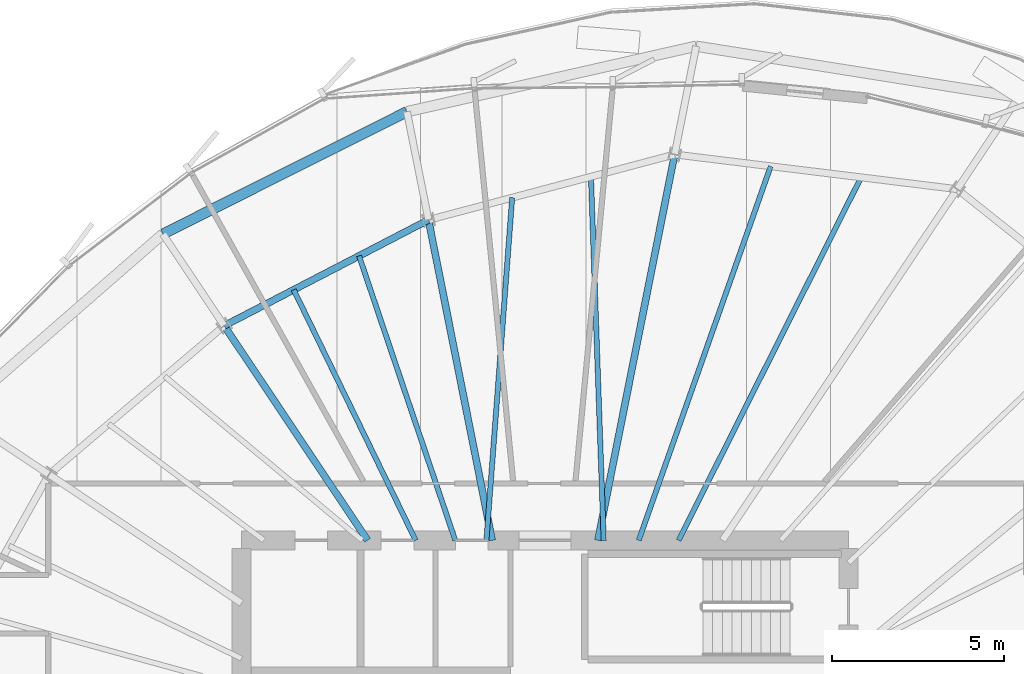
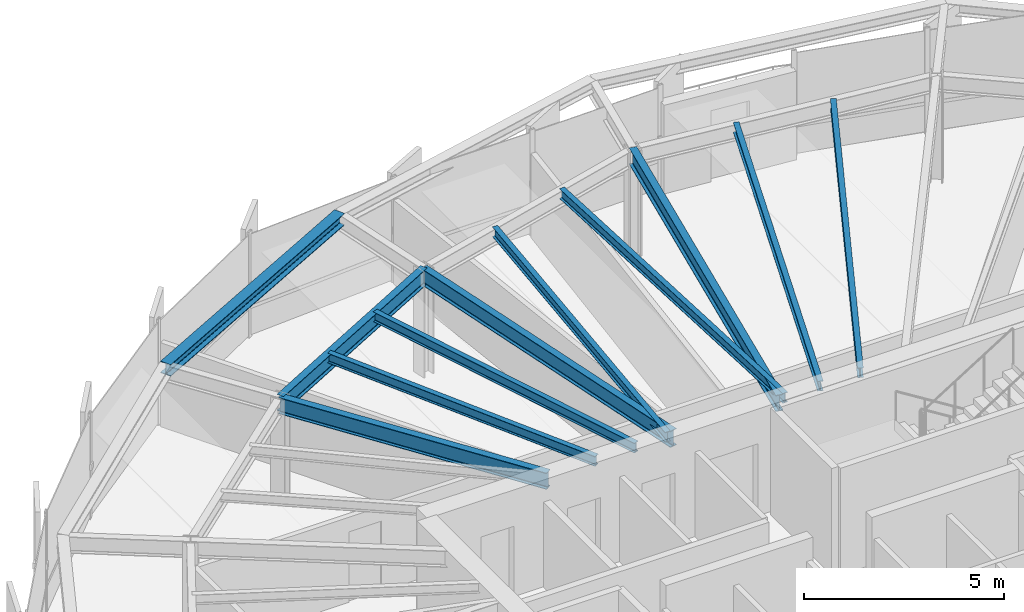
# One storey, part 23 of 37: 11 beams.
"""IFC4 building model written with IfcOpenShell, lengths in metres."""

from ifc_helpers import new_model, si_unit, direction, frame, origin, origin_2d, place, context, subcontext, project, spatial, i_section, extrude, source, transform, mapped, material, material_profile, profile_set, type_object, element, save


model = new_model("IFC4")

# Units and contexts
model_context = context("Model", 3, precision=1e-05, world=origin(), true_north=direction((0.0, 1.0)))
body_context = subcontext(model_context, "Body", "Model", "MODEL_VIEW")
ifc_project = project(units=[si_unit("LENGTHUNIT", "METRE"), si_unit("AREAUNIT", "SQUARE_METRE"), si_unit("VOLUMEUNIT", "CUBIC_METRE"), si_unit("PLANEANGLEUNIT", "RADIAN"), si_unit("MASSUNIT", "GRAM", prefix="KILO"), si_unit("THERMODYNAMICTEMPERATUREUNIT", "KELVIN")], contexts=[model_context])

# Site, building, storey
site_placement = place(None, origin())
site = spatial("IfcSite", under=ifc_project, at=site_placement, CompositionType="ELEMENT")
building_placement = place(site_placement, origin())
building = spatial("IfcBuilding", under=site, at=building_placement, Name="Kethvar Cultural Tower", CompositionType="ELEMENT")
storey_placement = place(building_placement, frame((0.0, 0.0, 200.89990234375)))
storey = spatial("IfcBuildingStorey", under=building, at=storey_placement, Name="L52", CompositionType="ELEMENT", Elevation=200.89990234375)

# Beams
ifc_material = material(Name="Steel S355J2", Category="steel")
ifc_material_profile_1 = material_profile(ifc_material, i_section(OverallWidth=0.199951171875, OverallDepth=0.5, WebThickness=0.01025390625, FlangeThickness=0.01611328125, FilletRadius=0.02099609375, at=origin_2d()), Name="Steel S355J2 — IPE500")
ifc_profile_set_1 = profile_set([ifc_material_profile_1], Name="Steel S355J2 — IPE500")
beam_type_1 = type_object("IfcBeamType", Name="BM-IPE500", PredefinedType="BEAM", material=ifc_profile_set_1)
shared_shape_1 = source(origin(), body_context, "Body", "SweptSolid", [
    extrude(i_section(OverallWidth=0.199951171875, OverallDepth=0.5, WebThickness=0.01025390625, FlangeThickness=0.01611328125, FilletRadius=0.02099609375, at=origin_2d()), origin(), (0.0, 0.0, 1.0), 11.40673828125),
])
beam_1_placement = place(storey_placement, frame((48.33154296875, 35.5, 3.008056640625), z_axis=(0.195091138918, 0.980785117911, 0.0), x_axis=(-0.980785117911, 0.195091138918, 0.0)))
element("IfcBeam", 1, at=beam_1_placement, inside=storey, type_object=beam_type_1, Name="L52 Primary Radial Beam RB-04", PredefinedType="BEAM", context=body_context, shape_type="MappedRepresentation", body=[
    mapped(shared_shape_1, transform((0.0, 0.0, 0.0), scale=1.0)),
])
shared_shape_2 = source(origin(), body_context, "Body", "SweptSolid", [
    extrude(i_section(OverallWidth=0.199951171875, OverallDepth=0.5, WebThickness=0.01025390625, FlangeThickness=0.01611328125, FilletRadius=0.02099609375, at=origin_2d()), origin(), (0.0, 0.0, 1.0), 9.47119140625),
])
beam_2_placement = place(storey_placement, frame((45.268310546875, 35.5, 3.008056640625), z_axis=(-0.195079990396, 0.980787335434, 0.0), x_axis=(-0.980787335434, -0.195079990396, 0.0)))
element("IfcBeam", 2, at=beam_2_placement, inside=storey, type_object=beam_type_1, Name="L52 Primary Radial Beam RB-05", PredefinedType="BEAM", context=body_context, shape_type="MappedRepresentation", body=[
    mapped(shared_shape_2, transform((0.0, 0.0, 0.0), scale=1.0)),
])
shared_shape_3 = source(origin(), body_context, "Body", "SweptSolid", [
    extrude(i_section(OverallWidth=0.199951171875, OverallDepth=0.5, WebThickness=0.01025390625, FlangeThickness=0.01611328125, FilletRadius=0.02099609375, at=origin_2d()), origin(), (0.0, 0.0, 1.0), 7.481201171875),
])
beam_3_placement = place(storey_placement, frame((41.655029296875, 35.5, 3.008056640625), z_axis=(-0.55555842186, 0.831477504146, 0.0), x_axis=(-0.831477504146, -0.55555842186, 0.0)))
element("IfcBeam", 3, at=beam_3_placement, inside=storey, type_object=beam_type_1, Name="L52 Primary Radial Beam RB-06", PredefinedType="BEAM", context=body_context, shape_type="MappedRepresentation", body=[
    mapped(shared_shape_3, transform((0.0, 0.0, 0.0), scale=1.0)),
])
ifc_material_profile_2 = material_profile(ifc_material, i_section(OverallWidth=0.14990234375, OverallDepth=0.300048828125, WebThickness=0.007080078125, FlangeThickness=0.0107421875, FilletRadius=0.014892578125, at=origin_2d()), Name="Steel S355J2 — IPE300")
ifc_profile_set_2 = profile_set([ifc_material_profile_2], Name="Steel S355J2 — IPE300")
beam_type_2 = type_object("IfcBeamType", Name="BM-J300", PredefinedType="JOIST", material=ifc_profile_set_2)
shared_shape_4 = source(origin(), body_context, "Body", "SweptSolid", [
    extrude(i_section(OverallWidth=0.14990234375, OverallDepth=0.300048828125, WebThickness=0.007080078125, FlangeThickness=0.0107421875, FilletRadius=0.014892578125, at=origin_2d()), origin(), (0.0, 0.0, 1.0), 11.77880859375),
])
beam_4_placement = place(storey_placement, frame((50.671630859375, 35.5, 3.108154296875), z_axis=(0.449218855458, 0.893421748057, 0.0), x_axis=(-0.893421748057, 0.449218855458, 0.0)))
element("IfcBeam", 4, at=beam_4_placement, inside=storey, type_object=beam_type_2, Name="L52 Composite Floor Joist J-03A", PredefinedType="JOIST", context=body_context, shape_type="MappedRepresentation", body=[
    mapped(shared_shape_4, transform((0.0, 0.0, 0.0), scale=1.0)),
])
shared_shape_5 = source(origin(), body_context, "Body", "SweptSolid", [
    extrude(i_section(OverallWidth=0.14990234375, OverallDepth=0.300048828125, WebThickness=0.007080078125, FlangeThickness=0.0107421875, FilletRadius=0.014892578125, at=origin_2d()), origin(), (0.0, 0.0, 1.0), 11.50048828125),
])
beam_5_placement = place(storey_placement, frame((49.51611328125, 35.5, 3.108154296875), z_axis=(0.332655768875, 0.943048322958, 0.0), x_axis=(-0.943048322958, 0.332655768875, 0.0)))
element("IfcBeam", 5, at=beam_5_placement, inside=storey, type_object=beam_type_2, Name="L52 Composite Floor Joist J-03B", PredefinedType="JOIST", context=body_context, shape_type="MappedRepresentation", body=[
    mapped(shared_shape_5, transform((0.0, 0.0, 0.0), scale=1.0)),
])
shared_shape_6 = source(origin(), body_context, "Body", "SweptSolid", [
    extrude(i_section(OverallWidth=0.14990234375, OverallDepth=0.300048828125, WebThickness=0.007080078125, FlangeThickness=0.0107421875, FilletRadius=0.014892578125, at=origin_2d()), origin(), (0.0, 0.0, 1.0), 10.54833984375),
])
beam_6_placement = place(storey_placement, frame((48.5, 35.5, 3.108154296875), z_axis=(-0.035017879941, 0.999386685965, 0.0), x_axis=(-0.999386685965, -0.035017879941, 0.0)))
element("IfcBeam", 6, at=beam_6_placement, inside=storey, type_object=beam_type_2, Name="L52 Composite Floor Joist J-04A", PredefinedType="JOIST", context=body_context, shape_type="MappedRepresentation", body=[
    mapped(shared_shape_6, transform((0.0, 0.0, 0.0), scale=1.0)),
])
shared_shape_7 = source(origin(), body_context, "Body", "SweptSolid", [
    extrude(i_section(OverallWidth=0.14990234375, OverallDepth=0.300048828125, WebThickness=0.007080078125, FlangeThickness=0.0107421875, FilletRadius=0.014892578125, at=origin_2d()), origin(), (0.0, 0.0, 1.0), 9.962646484375),
])
beam_7_placement = place(storey_placement, frame((45.10009765625, 35.5, 3.108154296875), z_axis=(0.074962964429, 0.99718631858, 0.0), x_axis=(-0.99718631858, 0.074962964429, 0.0)))
element("IfcBeam", 7, at=beam_7_placement, inside=storey, type_object=beam_type_2, Name="L52 Composite Floor Joist J-04B", PredefinedType="JOIST", context=body_context, shape_type="MappedRepresentation", body=[
    mapped(shared_shape_7, transform((0.0, 0.0, 0.0), scale=1.0)),
])
shared_shape_8 = source(origin(), body_context, "Body", "SweptSolid", [
    extrude(i_section(OverallWidth=0.199951171875, OverallDepth=0.5, WebThickness=0.01025390625, FlangeThickness=0.01611328125, FilletRadius=0.02099609375, at=origin_2d()), origin(), (0.0, 0.0, 1.0), 6.669921875),
])
beam_8_placement = place(storey_placement, frame((43.420654296875, 44.789306640625, 3.008056640625), z_axis=(-0.887861983948, -0.460109875421, 0.0), x_axis=(0.460109875421, -0.887861983948, 0.0)))
element("IfcBeam", 8, at=beam_8_placement, inside=storey, type_object=beam_type_1, Name="L52 Column Ring Tie Beam CR-05", PredefinedType="BEAM", context=body_context, shape_type="MappedRepresentation", body=[
    mapped(shared_shape_8, transform((0.0, 0.0, 0.0), scale=1.0)),
])
ifc_material_profile_3 = material_profile(ifc_material, i_section(OverallWidth=0.300048828125, OverallDepth=0.360107421875, WebThickness=0.012451171875, FlangeThickness=0.0224609375, FilletRadius=0.027099609375, at=origin_2d()), Name="Steel S355J2 — HEB360")
ifc_profile_set_3 = profile_set([ifc_material_profile_3], Name="Steel S355J2 — HEB360")
beam_type_3 = type_object("IfcBeamType", Name="BM-SP360", PredefinedType="SPANDREL", material=ifc_profile_set_3)
shared_shape_9 = source(origin(), body_context, "Body", "SweptSolid", [
    extrude(i_section(OverallWidth=0.300048828125, OverallDepth=0.360107421875, WebThickness=0.012451171875, FlangeThickness=0.0224609375, FilletRadius=0.027099609375, at=origin_2d()), origin(), (0.0, 0.0, 1.0), 7.91455078125),
])
beam_9_placement = place(storey_placement, frame((42.79638671875, 47.927734375, 3.078125), z_axis=(-0.893976371529, -0.44811410059, 0.0), x_axis=(0.44811410059, -0.893976371529, 0.0)))
element("IfcBeam", 9, at=beam_9_placement, inside=storey, type_object=beam_type_3, Name="L52 Perimeter Spandrel Beam SP-05", PredefinedType="SPANDREL", context=body_context, shape_type="MappedRepresentation", body=[
    mapped(shared_shape_9, transform((0.0, 0.0, 0.0), scale=1.0)),
])
shared_shape_10 = source(origin(), body_context, "Body", "SweptSolid", [
    extrude(i_section(OverallWidth=0.14990234375, OverallDepth=0.300048828125, WebThickness=0.007080078125, FlangeThickness=0.0107421875, FilletRadius=0.014892578125, at=origin_2d()), origin(), (0.0, 0.0, 1.0), 8.70458984375),
])
beam_10_placement = place(storey_placement, frame((44.19580078125, 35.5, 3.108154296875), z_axis=(-0.320356133074, 0.947297180404, 0.0), x_axis=(-0.947297180404, -0.320356133074, 0.0)))
element("IfcBeam", 10, at=beam_10_placement, inside=storey, type_object=beam_type_2, Name="L52 Composite Floor Joist J-05A", PredefinedType="JOIST", context=body_context, shape_type="MappedRepresentation", body=[
    mapped(shared_shape_10, transform((0.0, 0.0, 0.0), scale=1.0)),
])
shared_shape_11 = source(origin(), body_context, "Body", "SweptSolid", [
    extrude(i_section(OverallWidth=0.14990234375, OverallDepth=0.300048828125, WebThickness=0.007080078125, FlangeThickness=0.0107421875, FilletRadius=0.014892578125, at=origin_2d()), origin(), (0.0, 0.0, 1.0), 8.07958984375),
])
beam_11_placement = place(storey_placement, frame((43.0498046875, 35.5, 3.108154296875), z_axis=(-0.437846062021, 0.89904995744, 0.0), x_axis=(-0.89904995744, -0.437846062021, 0.0)))
element("IfcBeam", 11, at=beam_11_placement, inside=storey, type_object=beam_type_2, Name="L52 Composite Floor Joist J-05B", PredefinedType="JOIST", context=body_context, shape_type="MappedRepresentation", body=[
    mapped(shared_shape_11, transform((0.0, 0.0, 0.0), scale=1.0)),
])

save(model, "model.ifc")
